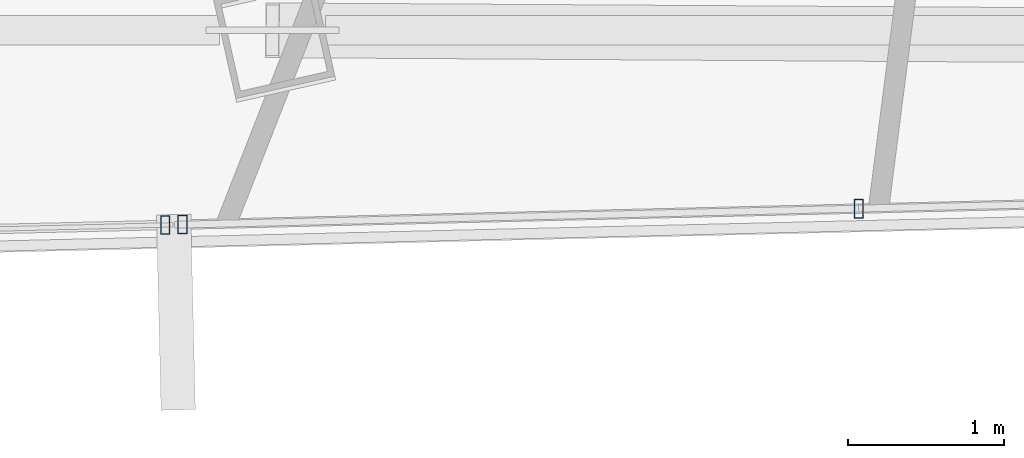
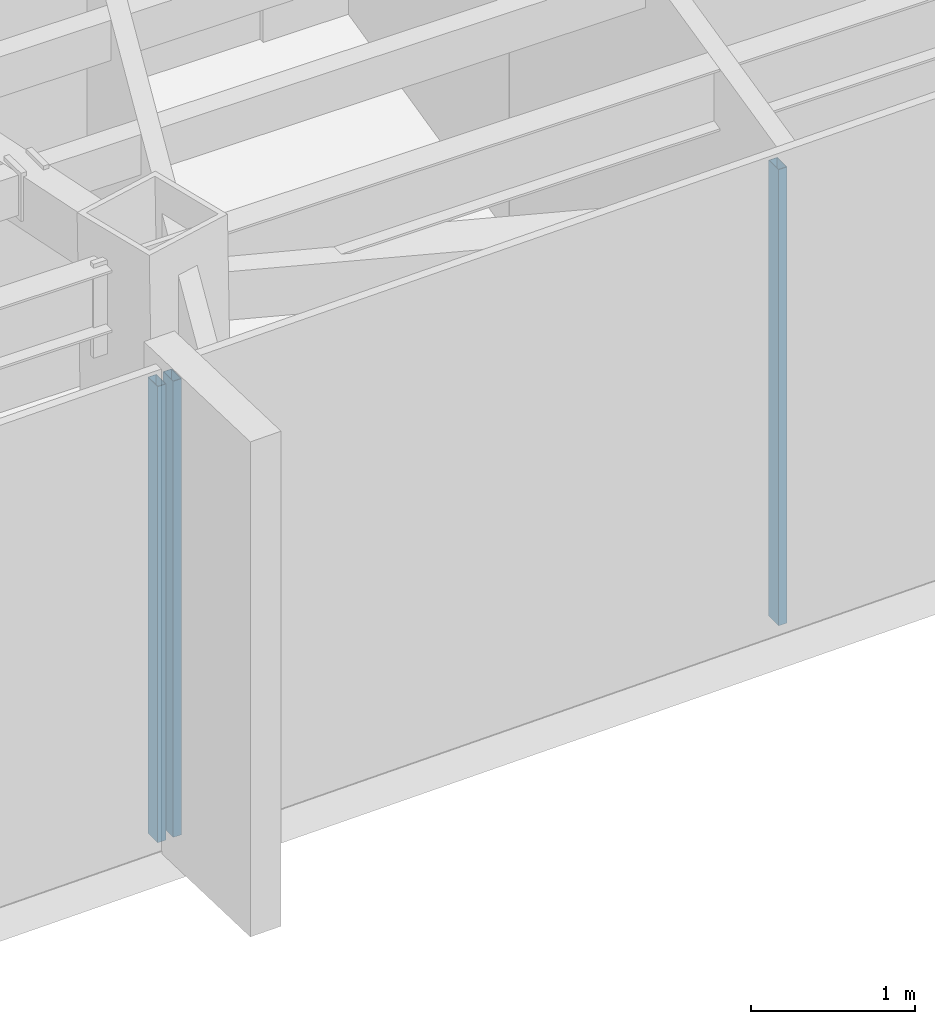
# One storey, part 11 of 47: 3 members, 2 elements without a shape of their own.
"""IFC4 building model written with IfcOpenShell, lengths in metres."""

from ifc_helpers import new_model, si_unit, direction, frame, origin, origin_2d, place, context, subcontext, project, spatial, hollow_rectangle, extrude, source, transform, mapped, material, material_profile, profile_set, type_object, type_shapes, element, aggregate, save


model = new_model("IFC4")

# Units and contexts
model_context = context("Model", 3, precision=1e-05, world=origin(), true_north=direction((0.0, 1.0)))
body_context = subcontext(model_context, "Body", "Model", "MODEL_VIEW")
ifc_project = project(units=[si_unit("LENGTHUNIT", "METRE"), si_unit("AREAUNIT", "SQUARE_METRE"), si_unit("VOLUMEUNIT", "CUBIC_METRE"), si_unit("PLANEANGLEUNIT", "RADIAN"), si_unit("MASSUNIT", "GRAM", prefix="KILO")], contexts=[model_context])

# Site, building, storey
site_placement = place(None, origin())
site = spatial("IfcSite", under=ifc_project, at=site_placement, CompositionType="ELEMENT")
building_placement = place(site_placement, origin())
building = spatial("IfcBuilding", under=site, at=building_placement, Name="Caelisora Broadcast Tower", CompositionType="ELEMENT")
storey_placement = place(building_placement, frame((0.0, 0.0, 255.39990234375)))
storey = spatial("IfcBuildingStorey", under=building, at=storey_placement, Name="L67", CompositionType="ELEMENT", Elevation=255.39990234375)

# Curtain wall, members
ifc_material_1 = material(Name="Unitised Aluminium Insulated Shadow-Box Spandrel Curtain Wall", Category="aluminium")
curtain_wall_type_1 = type_object("IfcCurtainWallType", Name="CW-SP3", PredefinedType="NOTDEFINED", material=ifc_material_1)
curtain_wall_1_placement = place(storey_placement, origin())
curtain_wall_1 = element("IfcCurtainWall", 1, at=curtain_wall_1_placement, inside=storey, type_object=curtain_wall_type_1, Name="L67 curtain wall CW-SP3", PredefinedType="NOTDEFINED")
ifc_material_2 = material(Name="Aluminium 6063-T6 Anodised Terracotta Bronze", Category="aluminium")
ifc_material_profile = material_profile(ifc_material_2, hollow_rectangle(XDim=0.06005859375, YDim=0.1201171875, WallThickness=0.0029296875, at=origin_2d()), Name="Aluminium 6063-T6 Anodised Terracotta Bronze")
ifc_profile_set = profile_set([ifc_material_profile], Name="Aluminium 6063-T6 Anodised Terracotta Bronze")
member_type = type_object("IfcMemberType", Name="CWM-04", PredefinedType="MULLION", material=ifc_profile_set)
shared_shape = source(origin(), body_context, "Body", "SweptSolid", [
    extrude(hollow_rectangle(XDim=0.06005859375, YDim=0.1201171875, WallThickness=0.0029296875, at=origin_2d()), origin(), (0.0, 0.0, 1.0), 3.400146484375),
])
type_shapes(member_type, [shared_shape])
member_1_placement = place(storey_placement, frame((35.835205078125, 8.2431640625, 0.0), z_axis=(0.0, 0.0, 1.0), x_axis=(1.0, 0.0, 0.0)))
member_1 = element("IfcMember", 2, at=member_1_placement, type_object=member_type, Name="L67-CW-B06 mullion #2", PredefinedType="MULLION", context=body_context, shape_type="MappedRepresentation", body=[
    mapped(shared_shape, transform((0.0, 0.0, 0.0), scale=1.0)),
])
member_2_placement = place(storey_placement, frame((31.50732421875, 8.14111328125, 0.0), z_axis=(0.0, 0.0, 1.0), x_axis=(1.0, 0.0, 0.0)))
member_2 = element("IfcMember", 3, at=member_2_placement, type_object=member_type, Name="L67-CW-B06 mullion #3", PredefinedType="MULLION", context=body_context, shape_type="MappedRepresentation", body=[
    mapped(shared_shape, transform((0.0, 0.0, 0.0), scale=1.0)),
])
aggregate(curtain_wall_1, [member_1, member_2])

# Curtain wall, member
ifc_material_3 = material(Name="Unitised Aluminium and Low-E Glass Curtain Wall", Category="glass")
curtain_wall_type_2 = type_object("IfcCurtainWallType", Name="CW-Z5", PredefinedType="NOTDEFINED", material=ifc_material_3)
curtain_wall_2_placement = place(storey_placement, origin())
curtain_wall_2 = element("IfcCurtainWall", 4, at=curtain_wall_2_placement, inside=storey, type_object=curtain_wall_type_2, Name="L67 curtain wall CW-Z5", PredefinedType="NOTDEFINED")
member_3_placement = place(storey_placement, frame((31.3974609375, 8.138427734375, 0.0), z_axis=(0.0, 0.0, 1.0), x_axis=(1.0, 0.0, 0.0)))
member_3 = element("IfcMember", 5, at=member_3_placement, type_object=member_type, Name="L67-CW-B07 mullion #0", PredefinedType="MULLION", context=body_context, shape_type="MappedRepresentation", body=[
    mapped(shared_shape, transform((0.0, 0.0, 0.0), scale=1.0)),
])
aggregate(curtain_wall_2, [member_3])

save(model, "model.ifc")
